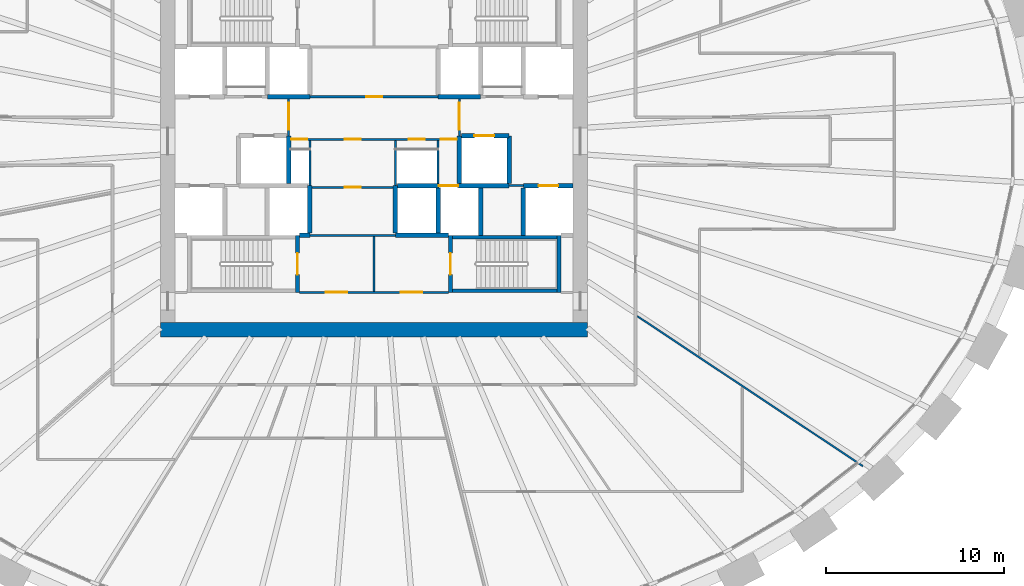
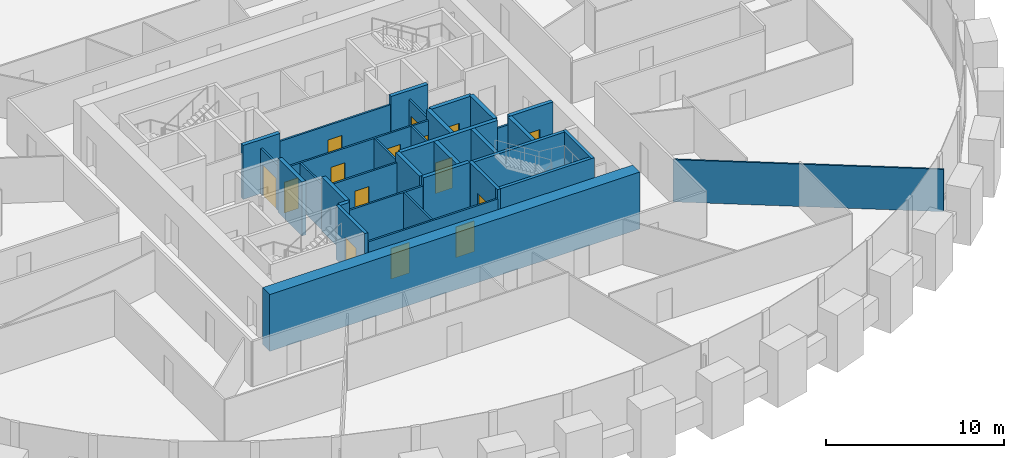
# One storey, part 7 of 10: 34 walls, 15 doors, 15 openings.
"""IFC4 building model written with IfcOpenShell, lengths in metres."""

from ifc_helpers import new_model, si_unit, direction, frame, frame_2d, origin, place, context, subcontext, project, spatial, rectangle, extrude, source, transform, mapped, material, layer, layer_set, type_object, element, fill, save


model = new_model("IFC4")

# Units and contexts
model_context = context("Model", 3, precision=1e-05, world=origin(), true_north=direction((0.0, 1.0)))
body_context = subcontext(model_context, "Body", "Model", "MODEL_VIEW")
ifc_project = project(units=[si_unit("LENGTHUNIT", "METRE"), si_unit("AREAUNIT", "SQUARE_METRE"), si_unit("VOLUMEUNIT", "CUBIC_METRE"), si_unit("PLANEANGLEUNIT", "RADIAN"), si_unit("MASSUNIT", "GRAM", prefix="KILO")], contexts=[model_context])

# Site, building, storey
site_placement = place(None, origin())
site = spatial("IfcSite", under=ifc_project, at=site_placement, CompositionType="ELEMENT")
building_placement = place(site_placement, origin())
building = spatial("IfcBuilding", under=site, at=building_placement, Name="Embergate Tower", CompositionType="ELEMENT")
storey_placement = place(building_placement, frame((0.0, 0.0, 171.60009765625)))
storey = spatial("IfcBuildingStorey", under=building, at=storey_placement, Name="L38", CompositionType="ELEMENT", Elevation=171.60009765625)

# Walls
ifc_material_1 = material(Name="Concrete C70", Category="concrete")
ifc_layer_1 = layer(ifc_material_1, 0.800048828125)
ifc_layer_set_1 = layer_set([ifc_layer_1], Name="Concrete C70")
wall_type_1 = type_object("IfcWallType", Name="Core outer wall C70 800", PredefinedType="SHEAR", material=ifc_layer_set_1)
shared_shape_1 = source(origin(), body_context, "Body", "SweptSolid", [
    extrude(rectangle(XDim=24.0, YDim=0.800048828125, at=frame_2d((12.0, 0.0))), origin(), (0.0, 0.0, 1.0), 3.900146484375),
])
wall_1_placement = place(storey_placement, frame((-12.0, -10.60009765625, -0.2001953125), z_axis=(0.0, 0.0, 1.0), x_axis=(1.0, 0.0, 0.0)))
element("IfcWall", 1, at=wall_1_placement, inside=storey, type_object=wall_type_1, Name="CW-L38-S", PredefinedType="SHEAR", context=body_context, shape_type="MappedRepresentation", body=[
    mapped(shared_shape_1, transform((0.0, 0.0, 0.0))),
])
ifc_material_2 = material(Name="Concrete C50", Category="concrete")
ifc_layer_2 = layer(ifc_material_2, 0.25)
ifc_layer_set_2 = layer_set([ifc_layer_2], Name="Concrete C50")
wall_type_2 = type_object("IfcWallType", Name="Hoistway wall reinforced concrete 250", PredefinedType="SHEAR", material=ifc_layer_set_2)
shared_shape_2 = source(origin(), body_context, "Body", "SweptSolid", [
    extrude(rectangle(XDim=2.675048828125, YDim=0.25, at=frame_2d((1.33740234375, 0.0))), origin(), (0.0, 0.0, 1.0), 3.699951171875),
])
for number, where, z_axis, x_axis, name in (
    (2, (-3.60009765625, -5.175048828125, 0.0), (0.0, 0.0, 1.0), (0.0, 1.0, 0.0), "HW-1 wall"),
    (3, (1.199951171875, -2.5, 0.0), (0.0, 0.0, 1.0), (0.0, -1.0, 0.0), "HW-1 wall"),
    (4, (-4.800048828125, 0.300048828125, 0.0), (0.0, 0.0, 1.0), (0.0, -1.0, 0.0), "HW-1 wall"),
    (5, (4.800048828125, -2.375, 0.0), (0.0, 0.0, 1.0), (0.0, 1.0, 0.0), "HW-1 wall"),
):
    element("IfcWall", number, at=place(storey_placement, frame(where, z_axis=z_axis, x_axis=x_axis)), inside=storey, type_object=wall_type_2, Name=name, PredefinedType="SHEAR", context=body_context, shape_type="MappedRepresentation", body=[
        mapped(shared_shape_2, transform((0.0, 0.0, 0.0))),
    ])

# Wall, opening, door
wall_2_placement = place(storey_placement, frame((7.60009765625, 0.300048828125, 0.0), z_axis=(0.0, 0.0, 1.0), x_axis=(-1.0, 0.0, 0.0)))
wall_2 = element("IfcWall", 6, at=wall_2_placement, inside=storey, type_object=wall_type_2, Name="HW-1 wall", PredefinedType="SHEAR", context=body_context, shape_type="MappedRepresentation", body=[
    mapped(shared_shape_2, transform((0.0, 0.0, 0.0))),
])
shared_shape_3 = source(origin(), body_context, "Body", "SweptSolid", [
    extrude(rectangle(XDim=1.10009765625, YDim=2.10009765625, at=frame_2d((0.550048828125, 1.050048828125))), frame((0.0, 0.135009765625, 0.0), z_axis=(0.0, -1.0, 0.0), x_axis=(1.0, 0.0, 0.0)), (0.0, 0.0, 1.0), 0.27001953125),
])
opening_1_placement = place(wall_2_placement, frame((0.85009765625, 0.0, 0.0)))
opening_1 = element("IfcOpeningElement", 7, at=opening_1_placement, cuts=wall_2, Name="Opening LD", PredefinedType="OPENING", context=body_context, shape_type="MappedRepresentation", body=[
    mapped(shared_shape_3, transform((0.0, 0.0, 0.0))),
])
ifc_material_3 = material(Name="Landing door sliding 1100")
door_type_1 = type_object("IfcDoorType", Name="Landing door sliding 1100", OperationType="SLIDING_TO_LEFT", PredefinedType="DOOR", material=ifc_material_3)
shared_shape_4 = source(origin(), body_context, "Body", "SweptSolid", [
    extrude(rectangle(XDim=1.10009765625, YDim=2.10009765625, at=frame_2d((0.550048828125, 1.050048828125))), frame((0.0, 0.02490234375, 0.0), z_axis=(0.0, -1.0, 0.0), x_axis=(1.0, 0.0, 0.0)), (0.0, 0.0, 1.0), 0.050048828125),
])
door_1_placement = place(opening_1_placement, origin())
door_1 = element("IfcDoor", 8, at=door_1_placement, inside=storey, type_object=door_type_1, Name="LD door", OperationType="SLIDING_TO_LEFT", OverallHeight=2.10009765625, OverallWidth=1.10009765625, PredefinedType="DOOR", context=body_context, shape_type="MappedRepresentation", body=[
    mapped(shared_shape_4, transform((0.0, 0.0, 0.0))),
])
fill(opening_1, door_1)

# Walls
wall_3_placement = place(storey_placement, frame((7.60009765625, -2.375, 0.0), z_axis=(0.0, 0.0, 1.0), x_axis=(0.0, 1.0, 0.0)))
element("IfcWall", 9, at=wall_3_placement, inside=storey, type_object=wall_type_2, Name="HW-1 wall", PredefinedType="SHEAR", context=body_context, shape_type="MappedRepresentation", body=[
    mapped(shared_shape_2, transform((0.0, 0.0, 0.0))),
])
ifc_layer_3 = layer(ifc_material_2, 0.199951171875)
ifc_layer_set_3 = layer_set([ifc_layer_3], Name="Concrete C50")
wall_type_3 = type_object("IfcWallType", Name="Stair enclosure wall reinforced concrete 250", PredefinedType="SHEAR", material=ifc_layer_set_3)
shared_shape_5 = source(origin(), body_context, "Body", "SweptSolid", [
    extrude(rectangle(XDim=6.300048828125, YDim=0.199951171875, at=frame_2d((3.14990234375, 0.0))), origin(), (0.0, 0.0, 1.0), 3.699951171875),
])
for number, where, z_axis, x_axis, name in (
    (10, (4.199951171875, -5.39990234375, 0.0), (0.0, 0.0, 1.0), (1.0, 0.0, 0.0), "SE-1 wall"),
    (11, (4.199951171875, -8.39990234375, 0.0), (0.0, 0.0, 1.0), (1.0, 0.0, 0.0), "SE-1 wall"),
):
    element("IfcWall", number, at=place(storey_placement, frame(where, z_axis=z_axis, x_axis=x_axis)), inside=storey, type_object=wall_type_3, Name=name, PredefinedType="SHEAR", context=body_context, shape_type="MappedRepresentation", body=[
        mapped(shared_shape_5, transform((0.0, 0.0, 0.0))),
    ])
shared_shape_6 = source(origin(), body_context, "Body", "SweptSolid", [
    extrude(rectangle(XDim=2.550048828125, YDim=0.25, at=frame_2d((1.27490234375, 0.0))), origin(), (0.0, 0.0, 1.0), 3.699951171875),
])
wall_4_placement = place(storey_placement, frame((3.60009765625, -5.175048828125, 0.0), z_axis=(0.0, 0.0, 1.0), x_axis=(0.0, 1.0, 0.0)))
element("IfcWall", 12, at=wall_4_placement, inside=storey, type_object=wall_type_2, Name="HW-1 wall", PredefinedType="SHEAR", context=body_context, shape_type="MappedRepresentation", body=[
    mapped(shared_shape_6, transform((0.0, 0.0, 0.0))),
])

# Wall, opening, door
shared_shape_7 = source(origin(), body_context, "Body", "SweptSolid", [
    extrude(rectangle(XDim=3.199951171875, YDim=0.199951171875, at=frame_2d((1.60009765625, 0.0))), origin(), (0.0, 0.0, 1.0), 3.699951171875),
])
wall_5_placement = place(storey_placement, frame((-4.300048828125, -8.5, 0.0), z_axis=(0.0, 0.0, 1.0), x_axis=(0.0, 1.0, 0.0)))
wall_5 = element("IfcWall", 13, at=wall_5_placement, inside=storey, type_object=wall_type_3, Name="SE-1 wall", PredefinedType="SHEAR", context=body_context, shape_type="MappedRepresentation", body=[
    mapped(shared_shape_7, transform((0.0, 0.0, 0.0))),
])
shared_shape_8 = source(origin(), body_context, "Body", "SweptSolid", [
    extrude(rectangle(XDim=1.199951171875, YDim=2.10009765625, at=frame_2d((0.60009765625, 1.050048828125))), frame((0.0, 0.10986328125, 0.0), z_axis=(0.0, -1.0, 0.0), x_axis=(1.0, 0.0, 0.0)), (0.0, 0.0, 1.0), 0.219970703125),
])
opening_2_placement = place(wall_5_placement, frame((1.0, 0.0, 0.0)))
opening_2 = element("IfcOpeningElement", 14, at=opening_2_placement, cuts=wall_5, Name="Opening IF-2", PredefinedType="OPENING", context=body_context, shape_type="MappedRepresentation", body=[
    mapped(shared_shape_8, transform((0.0, 0.0, 0.0))),
])
ifc_material_4 = material(Name="Stair enclosure door 1200")
door_type_2 = type_object("IfcDoorType", Name="Stair enclosure door 1200", OperationType="SINGLE_SWING_LEFT", PredefinedType="DOOR", material=ifc_material_4)
shared_shape_9 = source(origin(), body_context, "Body", "SweptSolid", [
    extrude(rectangle(XDim=1.199951171875, YDim=2.10009765625, at=frame_2d((0.60009765625, 1.050048828125))), frame((0.0, 0.02490234375, 0.0), z_axis=(0.0, -1.0, 0.0), x_axis=(1.0, 0.0, 0.0)), (0.0, 0.0, 1.0), 0.050048828125),
])
door_2_placement = place(opening_2_placement, origin())
door_2 = element("IfcDoor", 15, at=door_2_placement, inside=storey, type_object=door_type_2, Name="IF-2 door", OperationType="SINGLE_SWING_RIGHT", OverallHeight=2.10009765625, OverallWidth=1.199951171875, PredefinedType="DOOR", context=body_context, shape_type="MappedRepresentation", body=[
    mapped(shared_shape_9, transform((0.0, 0.0, 0.0))),
])
fill(opening_2, door_2)

wall_6_placement = place(storey_placement, frame((4.300048828125, -5.300048828125, 0.0), z_axis=(0.0, 0.0, 1.0), x_axis=(0.0, -1.0, 0.0)))
wall_6 = element("IfcWall", 16, at=wall_6_placement, inside=storey, type_object=wall_type_3, Name="SE-1 wall", PredefinedType="SHEAR", context=body_context, shape_type="MappedRepresentation", body=[
    mapped(shared_shape_7, transform((0.0, 0.0, 0.0))),
])
opening_3_placement = place(wall_6_placement, frame((1.0, 0.0, 0.0)))
opening_3 = element("IfcOpeningElement", 17, at=opening_3_placement, cuts=wall_6, Name="Opening IF-2", PredefinedType="OPENING", context=body_context, shape_type="MappedRepresentation", body=[
    mapped(shared_shape_8, transform((0.0, 0.0, 0.0))),
])
door_3_placement = place(opening_3_placement, origin())
door_3 = element("IfcDoor", 18, at=door_3_placement, inside=storey, type_object=door_type_2, Name="IF-2 door", OperationType="SINGLE_SWING_LEFT", OverallHeight=2.10009765625, OverallWidth=1.199951171875, PredefinedType="DOOR", context=body_context, shape_type="MappedRepresentation", body=[
    mapped(shared_shape_9, transform((0.0, 0.0, 0.0))),
])
fill(opening_3, door_3)

# Walls
shared_shape_10 = source(origin(), body_context, "Body", "SweptSolid", [
    extrude(rectangle(XDim=2.39990234375, YDim=0.25, at=frame_2d((1.199951171875, 0.0))), origin(), (0.0, 0.0, 1.0), 3.699951171875),
])
for number, where, z_axis, x_axis, name in (
    (19, (-6.0, 2.5, 0.0), (0.0, 0.0, 1.0), (1.0, 0.0, 0.0), "HW-1 wall"),
    (20, (3.60009765625, 2.5, 0.0), (0.0, 0.0, 1.0), (1.0, 0.0, 0.0), "HW-1 wall"),
):
    element("IfcWall", number, at=place(storey_placement, frame(where, z_axis=z_axis, x_axis=x_axis)), inside=storey, type_object=wall_type_2, Name=name, PredefinedType="SHEAR", context=body_context, shape_type="MappedRepresentation", body=[
        mapped(shared_shape_10, transform((0.0, 0.0, 0.0))),
    ])

# Wall, opening, door
ifc_material_5 = material(Name="Core partition blockwork 120")
ifc_layer_4 = layer(ifc_material_5, 0.1201171875)
ifc_layer_set_4 = layer_set([ifc_layer_4], Name="Core partition blockwork 120")
wall_type_4 = type_object("IfcWallType", Name="Core partition blockwork 120", PredefinedType="PARTITIONING", material=ifc_layer_set_4)
shared_shape_11 = source(origin(), body_context, "Body", "SweptSolid", [
    extrude(rectangle(XDim=2.074951171875, YDim=0.1201171875, at=frame_2d((1.03759765625, 0.0))), origin(), (0.0, 0.0, 1.0), 3.099853515625),
])
wall_7_placement = place(storey_placement, frame((-4.800048828125, 2.375, 0.0), z_axis=(0.0, 0.0, 1.0), x_axis=(0.0, -1.0, 0.0)))
wall_7 = element("IfcWall", 21, at=wall_7_placement, inside=storey, type_object=wall_type_4, Name="IP-3 wall", PredefinedType="PARTITIONING", context=body_context, shape_type="MappedRepresentation", body=[
    mapped(shared_shape_11, transform((0.0, 0.0, 0.0))),
])
shared_shape_12 = source(origin(), body_context, "Body", "SweptSolid", [
    extrude(rectangle(XDim=1.5, YDim=2.10009765625, at=frame_2d((0.75, 1.050048828125))), frame((0.0, 0.070068359375, 0.0), z_axis=(0.0, -1.0, 0.0), x_axis=(1.0, 0.0, 0.0)), (0.0, 0.0, 1.0), 0.14013671875),
])
opening_4_placement = place(wall_7_placement, frame((0.22509765625, 0.0, 0.0)))
opening_4 = element("IfcOpeningElement", 22, at=opening_4_placement, cuts=wall_7, Name="Opening IF-3", PredefinedType="OPENING", context=body_context, shape_type="MappedRepresentation", body=[
    mapped(shared_shape_12, transform((0.0, 0.0, 0.0))),
])
ifc_material_6 = material(Name="Lobby fire door pair 1500")
door_type_3 = type_object("IfcDoorType", Name="Lobby fire door pair 1500", OperationType="DOUBLE_DOOR_SINGLE_SWING", PredefinedType="DOOR", material=ifc_material_6)
shared_shape_13 = source(origin(), body_context, "Body", "SweptSolid", [
    extrude(rectangle(XDim=1.5, YDim=2.10009765625, at=frame_2d((0.75, 1.050048828125))), frame((0.0, 0.02490234375, 0.0), z_axis=(0.0, -1.0, 0.0), x_axis=(1.0, 0.0, 0.0)), (0.0, 0.0, 1.0), 0.050048828125),
])
door_4_placement = place(opening_4_placement, origin())
door_4 = element("IfcDoor", 23, at=door_4_placement, inside=storey, type_object=door_type_3, Name="IF-3 door", OperationType="DOUBLE_DOOR_SINGLE_SWING", OverallHeight=2.10009765625, OverallWidth=1.5, PredefinedType="DOOR", context=body_context, shape_type="MappedRepresentation", body=[
    mapped(shared_shape_13, transform((0.0, 0.0, 0.0))),
])
fill(opening_4, door_4)

wall_8_placement = place(storey_placement, frame((4.800048828125, 0.300048828125, 0.0), z_axis=(0.0, 0.0, 1.0), x_axis=(0.0, 1.0, 0.0)))
wall_8 = element("IfcWall", 24, at=wall_8_placement, inside=storey, type_object=wall_type_4, Name="IP-3 wall", PredefinedType="PARTITIONING", context=body_context, shape_type="MappedRepresentation", body=[
    mapped(shared_shape_11, transform((0.0, 0.0, 0.0))),
])
opening_5_placement = place(wall_8_placement, frame((0.35009765625, 0.0, 0.0)))
opening_5 = element("IfcOpeningElement", 25, at=opening_5_placement, cuts=wall_8, Name="Opening IF-3", PredefinedType="OPENING", context=body_context, shape_type="MappedRepresentation", body=[
    mapped(shared_shape_12, transform((0.0, 0.0, 0.0))),
])
door_5_placement = place(opening_5_placement, origin())
door_5 = element("IfcDoor", 26, at=door_5_placement, inside=storey, type_object=door_type_3, Name="IF-3 door", OperationType="DOUBLE_DOOR_SINGLE_SWING", OverallHeight=2.10009765625, OverallWidth=1.5, PredefinedType="DOOR", context=body_context, shape_type="MappedRepresentation", body=[
    mapped(shared_shape_13, transform((0.0, 0.0, 0.0))),
])
fill(opening_5, door_5)

# Wall, openings, doors
shared_shape_14 = source(origin(), body_context, "Body", "SweptSolid", [
    extrude(rectangle(XDim=8.39990234375, YDim=0.1201171875, at=frame_2d((4.199951171875, 0.0))), origin(), (0.0, 0.0, 1.0), 3.099853515625),
])
wall_9_placement = place(storey_placement, frame((-4.199951171875, -8.5, 0.0), z_axis=(0.0, 0.0, 1.0), x_axis=(1.0, 0.0, 0.0)))
wall_9 = element("IfcWall", 27, at=wall_9_placement, inside=storey, type_object=wall_type_4, Name="IP-3 wall", PredefinedType="PARTITIONING", context=body_context, shape_type="MappedRepresentation", body=[
    mapped(shared_shape_14, transform((0.0, 0.0, 0.0))),
])
shared_shape_15 = source(origin(), body_context, "Body", "SweptSolid", [
    extrude(rectangle(XDim=1.199951171875, YDim=2.10009765625, at=frame_2d((0.60009765625, 1.050048828125))), frame((0.0, 0.070068359375, 0.0), z_axis=(0.0, -1.0, 0.0), x_axis=(1.0, 0.0, 0.0)), (0.0, 0.0, 1.0), 0.14013671875),
])
opening_6_placement = place(wall_9_placement, frame((1.5, 0.0, 0.0)))
opening_6 = element("IfcOpeningElement", 28, at=opening_6_placement, cuts=wall_9, Name="Opening IF-3f", PredefinedType="OPENING", context=body_context, shape_type="MappedRepresentation", body=[
    mapped(shared_shape_15, transform((0.0, 0.0, 0.0))),
])
opening_7_placement = place(wall_9_placement, frame((5.699951171875, 0.0, 0.0)))
opening_7 = element("IfcOpeningElement", 29, at=opening_7_placement, cuts=wall_9, Name="Opening IF-3f", PredefinedType="OPENING", context=body_context, shape_type="MappedRepresentation", body=[
    mapped(shared_shape_15, transform((0.0, 0.0, 0.0))),
])
ifc_material_7 = material(Name="Lobby fire door pair 1200")
door_type_4 = type_object("IfcDoorType", Name="Lobby fire door pair 1200", OperationType="DOUBLE_DOOR_SINGLE_SWING", PredefinedType="DOOR", material=ifc_material_7)
door_6_placement = place(opening_6_placement, origin())
door_6 = element("IfcDoor", 30, at=door_6_placement, inside=storey, type_object=door_type_4, Name="IF-3 door", OperationType="DOUBLE_DOOR_SINGLE_SWING", OverallHeight=2.10009765625, OverallWidth=1.199951171875, PredefinedType="DOOR", context=body_context, shape_type="MappedRepresentation", body=[
    mapped(shared_shape_9, transform((0.0, 0.0, 0.0))),
])
fill(opening_6, door_6)
door_7_placement = place(opening_7_placement, origin())
door_7 = element("IfcDoor", 31, at=door_7_placement, inside=storey, type_object=door_type_4, Name="IF-3 door", OperationType="DOUBLE_DOOR_SINGLE_SWING", OverallHeight=2.10009765625, OverallWidth=1.199951171875, PredefinedType="DOOR", context=body_context, shape_type="MappedRepresentation", body=[
    mapped(shared_shape_9, transform((0.0, 0.0, 0.0))),
])
fill(opening_7, door_7)

# Wall, opening, door
shared_shape_16 = source(origin(), body_context, "Body", "SweptSolid", [
    extrude(rectangle(XDim=2.800048828125, YDim=0.25, at=frame_2d((1.39990234375, 0.0))), origin(), (0.0, 0.0, 1.0), 3.699951171875),
])
wall_10_placement = place(storey_placement, frame((11.199951171875, -2.5, 0.0), z_axis=(0.0, 0.0, 1.0), x_axis=(-1.0, 0.0, 0.0)))
wall_10 = element("IfcWall", 32, at=wall_10_placement, inside=storey, type_object=wall_type_2, Name="HW-1 wall", PredefinedType="SHEAR", context=body_context, shape_type="MappedRepresentation", body=[
    mapped(shared_shape_16, transform((0.0, 0.0, 0.0))),
])
opening_8_placement = place(wall_10_placement, frame((0.85009765625, 0.0, 0.0)))
opening_8 = element("IfcOpeningElement", 33, at=opening_8_placement, cuts=wall_10, Name="Opening LD", PredefinedType="OPENING", context=body_context, shape_type="MappedRepresentation", body=[
    mapped(shared_shape_3, transform((0.0, 0.0, 0.0))),
])
door_8_placement = place(opening_8_placement, origin())
door_8 = element("IfcDoor", 34, at=door_8_placement, inside=storey, type_object=door_type_1, Name="LD door", OperationType="SLIDING_TO_RIGHT", OverallHeight=2.10009765625, OverallWidth=1.10009765625, PredefinedType="DOOR", context=body_context, shape_type="MappedRepresentation", body=[
    mapped(shared_shape_4, transform((0.0, 0.0, 0.0))),
])
fill(opening_8, door_8)

# Wall
shared_shape_17 = source(origin(), body_context, "Body", "SweptSolid", [
    extrude(rectangle(XDim=0.599853515625, YDim=0.25, at=frame_2d((0.2998046875, 0.0))), origin(), (0.0, 0.0, 1.0), 3.699951171875),
])
wall_11_placement = place(storey_placement, frame((-4.199951171875, -5.300048828125, 0.0), z_axis=(0.0, 0.0, 1.0), x_axis=(1.0, 0.0, 0.0)))
element("IfcWall", 35, at=wall_11_placement, inside=storey, type_object=wall_type_2, Name="HW-1 wall", PredefinedType="SHEAR", context=body_context, shape_type="MappedRepresentation", body=[
    mapped(shared_shape_17, transform((0.0, 0.0, 0.0))),
])

# Wall, opening, door
shared_shape_18 = source(origin(), body_context, "Body", "SweptSolid", [
    extrude(rectangle(XDim=6.27294921875, YDim=0.25, at=frame_2d((3.136474609375, 0.0))), origin(), (0.0, 0.0, 1.0), 3.699951171875),
])
wall_12_placement = place(storey_placement, frame((7.597900390625, -2.5, 0.0), z_axis=(0.0, 0.0, 1.0), x_axis=(-1.0, 0.0, 0.0)))
wall_12 = element("IfcWall", 36, at=wall_12_placement, inside=storey, type_object=wall_type_2, Name="HW-1 wall", PredefinedType="SHEAR", context=body_context, shape_type="MappedRepresentation", body=[
    mapped(shared_shape_18, transform((0.0, 0.0, 0.0))),
])
opening_9_placement = place(wall_12_placement, frame((2.847900390625, 0.0, 0.0)))
opening_9 = element("IfcOpeningElement", 37, at=opening_9_placement, cuts=wall_12, Name="Opening LD", PredefinedType="OPENING", context=body_context, shape_type="MappedRepresentation", body=[
    mapped(shared_shape_3, transform((0.0, 0.0, 0.0))),
])
door_9_placement = place(opening_9_placement, origin())
door_9 = element("IfcDoor", 38, at=door_9_placement, inside=storey, type_object=door_type_1, Name="LD door", OperationType="SLIDING_TO_RIGHT", OverallHeight=2.10009765625, OverallWidth=1.10009765625, PredefinedType="DOOR", context=body_context, shape_type="MappedRepresentation", body=[
    mapped(shared_shape_4, transform((0.0, 0.0, 0.0))),
])
fill(opening_9, door_9)

# Walls
shared_shape_19 = source(origin(), body_context, "Body", "SweptSolid", [
    extrude(rectangle(XDim=3.0, YDim=0.25, at=frame_2d((1.5, 0.0))), origin(), (0.0, 0.0, 1.0), 3.699951171875),
])
wall_13_placement = place(storey_placement, frame((1.199951171875, -5.300048828125, 0.0), z_axis=(0.0, 0.0, 1.0), x_axis=(1.0, 0.0, 0.0)))
element("IfcWall", 39, at=wall_13_placement, inside=storey, type_object=wall_type_2, Name="HW-1 wall", PredefinedType="SHEAR", context=body_context, shape_type="MappedRepresentation", body=[
    mapped(shared_shape_19, transform((0.0, 0.0, 0.0))),
])
shared_shape_20 = source(origin(), body_context, "Body", "SweptSolid", [
    extrude(rectangle(XDim=3.196044921875, YDim=0.199951171875, at=frame_2d((1.59814453125, 0.0))), origin(), (0.0, 0.0, 1.0), 3.699951171875),
])
wall_14_placement = place(storey_placement, frame((10.39990234375, -8.498046875, 0.0), z_axis=(0.0, 0.0, 1.0), x_axis=(0.0, 1.0, 0.0)))
element("IfcWall", 40, at=wall_14_placement, inside=storey, type_object=wall_type_3, Name="SE-1 wall", PredefinedType="SHEAR", context=body_context, shape_type="MappedRepresentation", body=[
    mapped(shared_shape_20, transform((0.0, 0.0, 0.0))),
])
shared_shape_21 = source(origin(), body_context, "Body", "SweptSolid", [
    extrude(rectangle(XDim=2.671142578125, YDim=0.25, at=frame_2d((1.33544921875, 0.0))), origin(), (0.0, 0.0, 1.0), 3.699951171875),
])
for number, where, z_axis, x_axis, name in (
    (41, (6.0, -5.298095703125, 0.0), (0.0, 0.0, 1.0), (0.0, 1.0, 0.0), "HW-1 wall"),
    (42, (8.39990234375, -2.626953125, 0.0), (0.0, 0.0, 1.0), (0.0, -1.0, 0.0), "HW-1 wall"),
):
    element("IfcWall", number, at=place(storey_placement, frame(where, z_axis=z_axis, x_axis=x_axis)), inside=storey, type_object=wall_type_2, Name=name, PredefinedType="SHEAR", context=body_context, shape_type="MappedRepresentation", body=[
        mapped(shared_shape_21, transform((0.0, 0.0, 0.0))),
    ])

# Wall, openings, doors
shared_shape_22 = source(origin(), body_context, "Body", "SweptSolid", [
    extrude(rectangle(XDim=9.35009765625, YDim=0.1201171875, at=frame_2d((4.675048828125, 0.0))), origin(), (0.0, 0.0, 1.0), 3.099853515625),
])
wall_15_placement = place(storey_placement, frame((-4.675048828125, 0.10009765625, 0.0), z_axis=(0.0, 0.0, 1.0), x_axis=(1.0, 0.0, 0.0)))
wall_15 = element("IfcWall", 43, at=wall_15_placement, inside=storey, type_object=wall_type_4, Name="IP-3 wall", PredefinedType="PARTITIONING", context=body_context, shape_type="MappedRepresentation", body=[
    mapped(shared_shape_22, transform((0.0, 0.0, 0.0))),
])
shared_shape_23 = source(origin(), body_context, "Body", "SweptSolid", [
    extrude(rectangle(XDim=0.89990234375, YDim=2.10009765625, at=frame_2d((0.449951171875, 1.050048828125))), frame((0.0, 0.070068359375, 0.0), z_axis=(0.0, -1.0, 0.0), x_axis=(1.0, 0.0, 0.0)), (0.0, 0.0, 1.0), 0.14013671875),
])
opening_10_placement = place(wall_15_placement, frame((8.425048828125, 0.0, 0.0)))
opening_10 = element("IfcOpeningElement", 44, at=opening_10_placement, cuts=wall_15, Name="Opening IF-3c", PredefinedType="OPENING", context=body_context, shape_type="MappedRepresentation", body=[
    mapped(shared_shape_23, transform((0.0, 0.0, 0.0))),
])
opening_11_placement = place(wall_15_placement, frame((0.02490234375, 0.0, 0.0)))
opening_11 = element("IfcOpeningElement", 45, at=opening_11_placement, cuts=wall_15, Name="Opening ID-1", PredefinedType="OPENING", context=body_context, shape_type="MappedRepresentation", body=[
    mapped(shared_shape_23, transform((0.0, 0.0, 0.0))),
])
opening_12_placement = place(wall_15_placement, frame((6.625, 0.0, 0.0)))
opening_12 = element("IfcOpeningElement", 46, at=opening_12_placement, cuts=wall_15, Name="Opening ID-1", PredefinedType="OPENING", context=body_context, shape_type="MappedRepresentation", body=[
    mapped(shared_shape_23, transform((0.0, 0.0, 0.0))),
])
opening_13_placement = place(wall_15_placement, frame((3.02490234375, 0.0, 0.0)))
opening_13 = element("IfcOpeningElement", 47, at=opening_13_placement, cuts=wall_15, Name="Opening ID-1", PredefinedType="OPENING", context=body_context, shape_type="MappedRepresentation", body=[
    mapped(shared_shape_23, transform((0.0, 0.0, 0.0))),
])
ifc_material_8 = material(Name="Lobby fire door pair 900")
door_type_5 = type_object("IfcDoorType", Name="Lobby fire door pair 900", OperationType="DOUBLE_DOOR_SINGLE_SWING", PredefinedType="DOOR", material=ifc_material_8)
shared_shape_24 = source(origin(), body_context, "Body", "SweptSolid", [
    extrude(rectangle(XDim=0.89990234375, YDim=2.10009765625, at=frame_2d((0.449951171875, 1.050048828125))), frame((0.0, 0.02490234375, 0.0), z_axis=(0.0, -1.0, 0.0), x_axis=(1.0, 0.0, 0.0)), (0.0, 0.0, 1.0), 0.050048828125),
])
door_10_placement = place(opening_10_placement, origin())
door_10 = element("IfcDoor", 48, at=door_10_placement, inside=storey, type_object=door_type_5, Name="IF-3 door", OperationType="DOUBLE_DOOR_SINGLE_SWING", OverallHeight=2.10009765625, OverallWidth=0.89990234375, PredefinedType="DOOR", context=body_context, shape_type="MappedRepresentation", body=[
    mapped(shared_shape_24, transform((0.0, 0.0, 0.0))),
])
fill(opening_10, door_10)
ifc_material_9 = material(Name="Interior door 900")
door_type_6 = type_object("IfcDoorType", Name="Interior door 900", OperationType="SINGLE_SWING_LEFT", PredefinedType="DOOR", material=ifc_material_9)
door_11_placement = place(opening_11_placement, origin())
door_11 = element("IfcDoor", 49, at=door_11_placement, inside=storey, type_object=door_type_6, Name="ID-1 door", OperationType="SINGLE_SWING_RIGHT", OverallHeight=2.10009765625, OverallWidth=0.89990234375, PredefinedType="DOOR", context=body_context, shape_type="MappedRepresentation", body=[
    mapped(shared_shape_24, transform((0.0, 0.0, 0.0))),
])
fill(opening_11, door_11)
door_12_placement = place(opening_12_placement, origin())
door_12 = element("IfcDoor", 50, at=door_12_placement, inside=storey, type_object=door_type_6, Name="ID-1 door", OperationType="SINGLE_SWING_RIGHT", OverallHeight=2.10009765625, OverallWidth=0.89990234375, PredefinedType="DOOR", context=body_context, shape_type="MappedRepresentation", body=[
    mapped(shared_shape_24, transform((0.0, 0.0, 0.0))),
])
fill(opening_12, door_12)
door_13_placement = place(opening_13_placement, origin())
door_13 = element("IfcDoor", 51, at=door_13_placement, inside=storey, type_object=door_type_6, Name="ID-1 door", OperationType="SINGLE_SWING_LEFT", OverallHeight=2.10009765625, OverallWidth=0.89990234375, PredefinedType="DOOR", context=body_context, shape_type="MappedRepresentation", body=[
    mapped(shared_shape_24, transform((0.0, 0.0, 0.0))),
])
fill(opening_13, door_13)

# Wall, opening, door
shared_shape_25 = source(origin(), body_context, "Body", "SweptSolid", [
    extrude(rectangle(XDim=7.2001953125, YDim=0.1201171875, at=frame_2d((3.60009765625, 0.0))), origin(), (0.0, 0.0, 1.0), 3.099853515625),
])
wall_16_placement = place(storey_placement, frame((3.60009765625, 2.5, 0.0), z_axis=(0.0, 0.0, 1.0), x_axis=(-1.0, 0.0, 0.0)))
wall_16 = element("IfcWall", 52, at=wall_16_placement, inside=storey, type_object=wall_type_4, Name="IP-3 wall", PredefinedType="PARTITIONING", context=body_context, shape_type="MappedRepresentation", body=[
    mapped(shared_shape_25, transform((0.0, 0.0, 0.0))),
])
opening_14_placement = place(wall_16_placement, frame((3.14990234375, 0.0, 0.0)))
opening_14 = element("IfcOpeningElement", 53, at=opening_14_placement, cuts=wall_16, Name="Opening ID-1", PredefinedType="OPENING", context=body_context, shape_type="MappedRepresentation", body=[
    mapped(shared_shape_23, transform((0.0, 0.0, 0.0))),
])
door_14_placement = place(opening_14_placement, origin())
door_14 = element("IfcDoor", 54, at=door_14_placement, inside=storey, type_object=door_type_6, Name="ID-1 door", OperationType="SINGLE_SWING_RIGHT", OverallHeight=2.10009765625, OverallWidth=0.89990234375, PredefinedType="DOOR", context=body_context, shape_type="MappedRepresentation", body=[
    mapped(shared_shape_24, transform((0.0, 0.0, 0.0))),
])
fill(opening_14, door_14)

# Walls
shared_shape_26 = source(origin(), body_context, "Body", "SweptSolid", [
    extrude(rectangle(XDim=2.5400390625, YDim=0.1201171875, at=frame_2d((1.27001953125, 0.0))), origin(), (0.0, 0.0, 1.0), 3.099853515625),
])
for number, where, z_axis, x_axis, name in (
    (55, (-3.60009765625, -2.5, 0.0), (0.0, 0.0, 1.0), (0.0, 1.0, 0.0), "IP-3 wall"),
    (56, (1.199951171875, 0.0400390625, 0.0), (0.0, 0.0, 1.0), (0.0, -1.0, 0.0), "IP-3 wall"),
):
    element("IfcWall", number, at=place(storey_placement, frame(where, z_axis=z_axis, x_axis=x_axis)), inside=storey, type_object=wall_type_4, Name=name, PredefinedType="PARTITIONING", context=body_context, shape_type="MappedRepresentation", body=[
        mapped(shared_shape_26, transform((0.0, 0.0, 0.0))),
    ])
shared_shape_27 = source(origin(), body_context, "Body", "SweptSolid", [
    extrude(rectangle(XDim=2.4150390625, YDim=0.1201171875, at=frame_2d((1.20751953125, 0.0))), origin(), (0.0, 0.0, 1.0), 3.099853515625),
])
wall_17_placement = place(storey_placement, frame((3.60009765625, -2.375, 0.0), z_axis=(0.0, 0.0, 1.0), x_axis=(0.0, 1.0, 0.0)))
element("IfcWall", 57, at=wall_17_placement, inside=storey, type_object=wall_type_4, Name="IP-3 wall", PredefinedType="PARTITIONING", context=body_context, shape_type="MappedRepresentation", body=[
    mapped(shared_shape_27, transform((0.0, 0.0, 0.0))),
])
shared_shape_28 = source(origin(), body_context, "Body", "SweptSolid", [
    extrude(rectangle(XDim=3.079833984375, YDim=0.1201171875, at=frame_2d((1.5400390625, 0.0))), origin(), (0.0, 0.0, 1.0), 3.099853515625),
])
wall_18_placement = place(storey_placement, frame((0.0, -8.43994140625, 0.0), z_axis=(0.0, 0.0, 1.0), x_axis=(0.0, 1.0, 0.0)))
element("IfcWall", 58, at=wall_18_placement, inside=storey, type_object=wall_type_4, Name="IP-3 wall", PredefinedType="PARTITIONING", context=body_context, shape_type="MappedRepresentation", body=[
    mapped(shared_shape_28, transform((0.0, 0.0, 0.0))),
])
shared_shape_29 = source(origin(), body_context, "Body", "SweptSolid", [
    extrude(rectangle(XDim=4.800048828125, YDim=0.1201171875, at=frame_2d((2.39990234375, 0.0))), origin(), (0.0, 0.0, 1.0), 3.099853515625),
])
wall_19_placement = place(storey_placement, frame((1.199951171875, -5.300048828125, 0.0), z_axis=(0.0, 0.0, 1.0), x_axis=(-1.0, 0.0, 0.0)))
element("IfcWall", 59, at=wall_19_placement, inside=storey, type_object=wall_type_4, Name="IP-3 wall", PredefinedType="PARTITIONING", context=body_context, shape_type="MappedRepresentation", body=[
    mapped(shared_shape_29, transform((0.0, 0.0, 0.0))),
])
shared_shape_30 = source(origin(), body_context, "Body", "SweptSolid", [
    extrude(rectangle(XDim=0.7958984375, YDim=0.1201171875, at=frame_2d((0.39794921875, 0.0))), origin(), (0.0, 0.0, 1.0), 3.099853515625),
])
wall_20_placement = place(storey_placement, frame((7.60205078125, -2.5, 0.0), z_axis=(0.0, 0.0, 1.0), x_axis=(1.0, 0.0, 0.0)))
element("IfcWall", 60, at=wall_20_placement, inside=storey, type_object=wall_type_4, Name="IP-3 wall", PredefinedType="PARTITIONING", context=body_context, shape_type="MappedRepresentation", body=[
    mapped(shared_shape_30, transform((0.0, 0.0, 0.0))),
])

# Wall, opening, door
shared_shape_31 = source(origin(), body_context, "Body", "SweptSolid", [
    extrude(rectangle(XDim=4.550048828125, YDim=0.1201171875, at=frame_2d((2.27490234375, 0.0))), origin(), (0.0, 0.0, 1.0), 3.099853515625),
])
wall_21_placement = place(storey_placement, frame((1.074951171875, -2.60009765625, 0.0), z_axis=(0.0, 0.0, 1.0), x_axis=(-1.0, 0.0, 0.0)))
wall_21 = element("IfcWall", 61, at=wall_21_placement, inside=storey, type_object=wall_type_4, Name="IP-3 wall", PredefinedType="PARTITIONING", context=body_context, shape_type="MappedRepresentation", body=[
    mapped(shared_shape_31, transform((0.0, 0.0, 0.0))),
])
opening_15_placement = place(wall_21_placement, frame((1.824951171875, 0.0, 0.0)))
opening_15 = element("IfcOpeningElement", 62, at=opening_15_placement, cuts=wall_21, Name="Opening ID-1", PredefinedType="OPENING", context=body_context, shape_type="MappedRepresentation", body=[
    mapped(shared_shape_23, transform((0.0, 0.0, 0.0))),
])
door_15_placement = place(opening_15_placement, origin())
door_15 = element("IfcDoor", 63, at=door_15_placement, inside=storey, type_object=door_type_6, Name="ID-1 door", OperationType="SINGLE_SWING_LEFT", OverallHeight=2.10009765625, OverallWidth=0.89990234375, PredefinedType="DOOR", context=body_context, shape_type="MappedRepresentation", body=[
    mapped(shared_shape_24, transform((0.0, 0.0, 0.0))),
])
fill(opening_15, door_15)

# Wall
ifc_material_10 = material(Name="Partition dry-lined 100")
ifc_layer_5 = layer(ifc_material_10, 0.10009765625)
ifc_layer_set_5 = layer_set([ifc_layer_5], Name="Partition dry-lined 100")
wall_type_5 = type_object("IfcWallType", Name="Partition dry-lined 100", PredefinedType="PARTITIONING", material=ifc_layer_set_5)
shared_shape_32 = source(origin(), body_context, "Body", "SweptSolid", [
    extrude(rectangle(XDim=15.234375, YDim=0.10009765625, at=frame_2d((7.6171875, 0.0))), origin(), (0.0, 0.0, 1.0), 2.89990234375),
])
wall_22_placement = place(storey_placement, frame((27.489990234375, -18.27392578125, 0.0), z_axis=(0.0, 0.0, 1.0), x_axis=(-0.832781812053, 0.553601348909, 0.0)))
element("IfcWall", 64, at=wall_22_placement, inside=storey, type_object=wall_type_5, Name="IP-1 wall", PredefinedType="PARTITIONING", context=body_context, shape_type="MappedRepresentation", body=[
    mapped(shared_shape_32, transform((0.0, 0.0, 0.0))),
])

save(model, "model.ifc")
